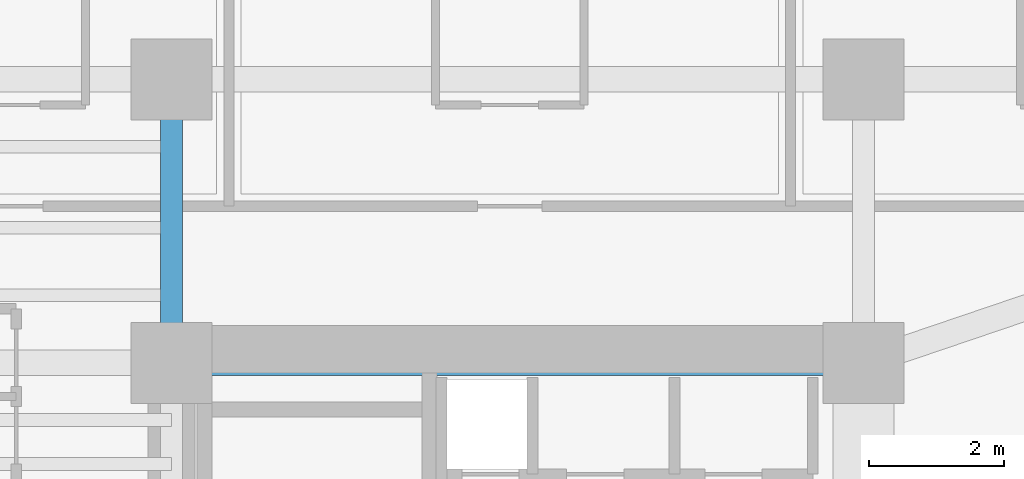
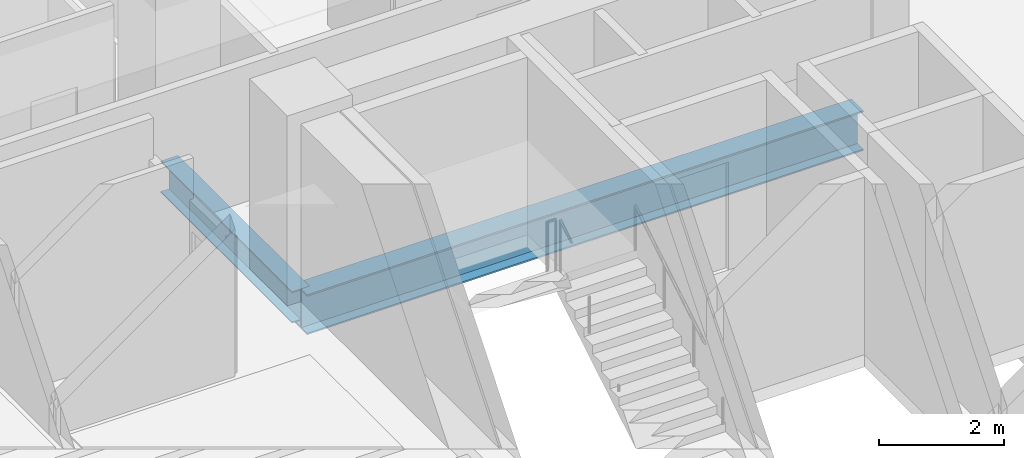
# One storey, part 9 of 35: 2 beams.
"""IFC4 building model written with IfcOpenShell, lengths in metres."""

import ifcopenshell
import ifcopenshell.guid

model = None  # the IFC model being written
_history = None  # IfcOwnerHistory: only IFC2X3 demands one
_inside = {}  # id of a spatial element -> (the spatial element, [elements in it])
_under = {}  # id of a project, library or spatial element -> (it, [spatial elements below it])
_declared = {}  # id of a project -> (the project, [libraries it declares])
_typed = {}  # id of a type object -> (the type object, [elements of that type])
_made_of = {}  # id of a material, layer set ... -> (it, [elements and type objects made of it])


def new_model(schema):
    """Start an empty IFC model of exactly this schema.

    Asked for "IFC4X3", IfcOpenShell would pick the latest addendum, in which some entities
    have other attributes; the version numbers below select the first issue.
    IFC2X3 requires an IfcOwnerHistory on every rooted entity: one is made here for all.
    """
    global model, _history
    if schema == "IFC4X3":
        model = ifcopenshell.file(schema_version=(4, 3, 0, 0))
    else:
        model = ifcopenshell.file(schema=schema)
    _inside.clear()
    _under.clear()
    _declared.clear()
    _typed.clear()
    _made_of.clear()
    _history = None
    if model.schema == "IFC2X3":
        org = make("IfcOrganization", Name="unknown")
        user = make(
            "IfcPersonAndOrganization",
            ThePerson=make("IfcPerson", FamilyName="unknown"),
            TheOrganization=org,
        )
        app = make(
            "IfcApplication",
            ApplicationDeveloper=org,
            Version="unknown",
            ApplicationFullName="unknown",
            ApplicationIdentifier="unknown",
        )
        _history = make(
            "IfcOwnerHistory",
            OwningUser=user,
            OwningApplication=app,
            ChangeAction="ADDED",
            CreationDate=0,
        )
    return model


def make(cls, **values):
    """One entity of the class cls with the attributes given. An attribute that is None is left unset."""
    return model.create_entity(
        cls, **{name: value for name, value in values.items() if value is not None}
    )


def rooted(cls, **values):
    """An entity with a GlobalId (a new one), such as an element, a storey or a relation."""
    return make(cls, GlobalId=ifcopenshell.guid.new(), OwnerHistory=_history, **values)


def si_unit(unit_type, name, prefix=None):
    """IfcSIUnit, for example si_unit("LENGTHUNIT", "METRE", prefix="MILLI")."""
    return make("IfcSIUnit", UnitType=unit_type, Prefix=prefix, Name=name)


def assignment(units):
    """IfcUnitAssignment: the units of a project."""
    return None if units is None else make("IfcUnitAssignment", Units=units)


def point(xyz):
    """IfcCartesianPoint."""
    return None if xyz is None else make("IfcCartesianPoint", Coordinates=xyz)


def direction(xyz):
    """IfcDirection."""
    return None if xyz is None else make("IfcDirection", DirectionRatios=xyz)


def frame(location, z_axis=None, x_axis=None):
    """IfcAxis2Placement3D, a coordinate frame: its origin and axes. An axis left out is left unset."""
    return make(
        "IfcAxis2Placement3D",
        Location=point(location),
        Axis=direction(z_axis),
        RefDirection=direction(x_axis),
    )


def frame_2d(location, x_axis=None):
    """IfcAxis2Placement2D, a coordinate frame in the plane: its origin and x axis."""
    return make(
        "IfcAxis2Placement2D", Location=point(location), RefDirection=direction(x_axis)
    )


def origin():
    """The frame at (0, 0, 0) with its axes left unset."""
    return frame((0.0, 0.0, 0.0))


def origin_2d():
    """The frame at (0, 0) in the plane with its x axis left unset."""
    return frame_2d((0.0, 0.0))


def place(relative_to, where):
    """IfcLocalPlacement: puts the frame where relative to a parent placement (None: the world)."""
    return make(
        "IfcLocalPlacement", PlacementRelTo=relative_to, RelativePlacement=where
    )


def context(
    kind, dimensions, precision=None, world=None, true_north=None, identifier=None
):
    """IfcGeometricRepresentationContext, for example the 3D "Model" context."""
    return make(
        "IfcGeometricRepresentationContext",
        ContextIdentifier=identifier,
        ContextType=kind,
        CoordinateSpaceDimension=dimensions,
        Precision=precision,
        WorldCoordinateSystem=world,
        TrueNorth=true_north,
    )


def subcontext(parent, identifier, kind, view, scale=None):
    """IfcGeometricRepresentationSubContext, for example "Body" below "Model"."""
    return make(
        "IfcGeometricRepresentationSubContext",
        ContextIdentifier=identifier,
        ContextType=kind,
        ParentContext=parent,
        TargetScale=scale,
        TargetView=view,
    )


def project(units=None, contexts=None):
    """IfcProject with its units and contexts."""
    return rooted(
        "IfcProject",
        Name="project",
        RepresentationContexts=contexts,
        UnitsInContext=assignment(units),
    )


def spatial(cls, under=None, at=None, **own):
    """A site, building, storey or space (cls), placed at a placement, below another one or the project."""
    s = rooted(cls, ObjectPlacement=at, **own)
    if under is not None:
        _under.setdefault(under.id(), (under, []))[1].append(s)
    return s


def profile(cls, at=None, kind="AREA", **sizes):
    """A parametric profile (cls). Its sizes go by their IFC names, for example OverallWidth=200.0."""
    return make(cls, ProfileType=kind, Position=at, **sizes)


def i_section(**sizes):
    """IfcIShapeProfileDef."""
    return profile("IfcIShapeProfileDef", **sizes)


def extrude(swept, where, along, depth):
    """IfcExtrudedAreaSolid: the profile swept, set in the frame where, extruded along a direction by depth."""
    return make(
        "IfcExtrudedAreaSolid",
        SweptArea=swept,
        Position=where,
        ExtrudedDirection=direction(along),
        Depth=depth,
    )


def shape(context_of_items, identifier, shape_type, items):
    """IfcShapeRepresentation: the items that make up one representation, for example the "Body"."""
    return make(
        "IfcShapeRepresentation",
        ContextOfItems=context_of_items,
        RepresentationIdentifier=identifier,
        RepresentationType=shape_type,
        Items=items,
    )


def source(mapping_origin, context_of_items, identifier, shape_type, items):
    """IfcRepresentationMap: a shape defined once, which mapped items show again and again."""
    return make(
        "IfcRepresentationMap",
        MappingOrigin=mapping_origin,
        MappedRepresentation=shape(context_of_items, identifier, shape_type, items),
    )


def transform(
    local_origin,
    x_axis=None,
    y_axis=None,
    z_axis=None,
    scale=None,
    scale2=None,
    scale3=None,
    uniform=True,
):
    """IfcCartesianTransformationOperator3D, or its non-uniform kind. x_axis, y_axis, z_axis: its Axis1, 2, 3."""
    if uniform:
        return make(
            "IfcCartesianTransformationOperator3D",
            Axis1=direction(x_axis),
            Axis2=direction(y_axis),
            LocalOrigin=point(local_origin),
            Scale=scale,
            Axis3=direction(z_axis),
        )
    return make(
        "IfcCartesianTransformationOperator3DnonUniform",
        Axis1=direction(x_axis),
        Axis2=direction(y_axis),
        LocalOrigin=point(local_origin),
        Scale=scale,
        Axis3=direction(z_axis),
        Scale2=scale2,
        Scale3=scale3,
    )


def mapped(mapping_source, mapping_target):
    """IfcMappedItem: shows the shape of a source again, moved by a transform."""
    return make(
        "IfcMappedItem", MappingSource=mapping_source, MappingTarget=mapping_target
    )


def material(Name=None, Category=None):
    """IfcMaterial."""
    return make("IfcMaterial", Name=Name, Category=Category)


def material_profile(
    of_material, cross_section, Name=None, Category=None, Priority=None
):
    """IfcMaterialProfile: a cross section and its material."""
    return make(
        "IfcMaterialProfile",
        Name=Name,
        Material=of_material,
        Profile=cross_section,
        Priority=Priority,
        Category=Category,
    )


def profile_set(profiles, Name=None, composite=None):
    """IfcMaterialProfileSet."""
    return make(
        "IfcMaterialProfileSet",
        Name=Name,
        MaterialProfiles=profiles,
        CompositeProfile=composite,
    )


def made_of(thing, what):
    """Note that an element or type object is made of a material, layer set ...; save() writes the relation."""
    if what is not None:
        _made_of.setdefault(what.id(), (what, []))[1].append(thing)
    return thing


def type_object(cls, material=None, **own):
    """A type object (cls), such as IfcWallType, which elements share."""
    return made_of(rooted(cls, **own), material)


def element(
    cls,
    number,
    at=None,
    inside=None,
    cuts=None,
    type_object=None,
    material=None,
    context=None,
    identifier="Body",
    shape_type=None,
    held_by="IfcProductDefinitionShape",
    body=None,
    shapes=None,
    **own,
):
    """One element of the class cls, such as IfcWall. Its Tag is "e" and its number.

    at: its placement. inside: the storey or other place that contains it. cuts: it is an
    opening in that element (IfcRelVoidsElement). A single representation is given by context,
    identifier, shape_type and body (its items); several are given by shapes. held_by: the class
    of the entity that holds the representations. save() writes the other relations.
    """
    e = rooted(cls, Tag="e%d" % number, ObjectPlacement=at, **own)
    if body is not None:
        shapes = [shape(context, identifier, shape_type, body)]
    if shapes is not None:
        e.Representation = make(held_by, Representations=shapes)
    if inside is not None:
        _inside.setdefault(inside.id(), (inside, []))[1].append(e)
    if cuts is not None:
        rooted(
            "IfcRelVoidsElement", RelatingBuildingElement=cuts, RelatedOpeningElement=e
        )
    if type_object is not None:
        _typed.setdefault(type_object.id(), (type_object, []))[1].append(e)
    return made_of(e, material)


def aggregate(whole, parts):
    """IfcRelAggregates: a whole, such as a stair, and the parts it consists of."""
    return rooted("IfcRelAggregates", RelatingObject=whole, RelatedObjects=parts)


def save(model, path):
    """Write the relations noted so far, then the file.

    IfcRelAggregates (storeys below a building ...), IfcRelContainedInSpatialStructure (elements
    in a storey), IfcRelDefinesByType, IfcRelAssociatesMaterial and IfcRelDeclares: one each for
    every whole, place, type object, material and project.
    """
    for whole, parts in _under.values():
        aggregate(whole, parts)
    for where, things in _inside.values():
        rooted(
            "IfcRelContainedInSpatialStructure",
            RelatedElements=things,
            RelatingStructure=where,
        )
    for kind, things in _typed.values():
        rooted("IfcRelDefinesByType", RelatedObjects=things, RelatingType=kind)
    for what, things in _made_of.values():
        rooted("IfcRelAssociatesMaterial", RelatedObjects=things, RelatingMaterial=what)
    for by, libraries in _declared.values():
        rooted("IfcRelDeclares", RelatingContext=by, RelatedDefinitions=libraries)
    model.write(path)


model = new_model("IFC4")

# Units and contexts
model_context = context("Model", 3, precision=1e-05, world=origin(), true_north=direction((0.0, 1.0)))
body_context = subcontext(model_context, "Body", "Model", "MODEL_VIEW")
ifc_project = project(units=[si_unit("LENGTHUNIT", "METRE"), si_unit("AREAUNIT", "SQUARE_METRE"), si_unit("VOLUMEUNIT", "CUBIC_METRE"), si_unit("PLANEANGLEUNIT", "RADIAN"), si_unit("MASSUNIT", "GRAM", prefix="KILO")], contexts=[model_context])

# Site, building, storey
site_placement = place(None, origin())
site = spatial("IfcSite", under=ifc_project, at=site_placement, CompositionType="ELEMENT")
building_placement = place(site_placement, origin())
building = spatial("IfcBuilding", under=site, at=building_placement, Name="Valdorenza Pilgrim Sanctuary Tower", CompositionType="ELEMENT")
storey_placement = place(building_placement, frame((0.0, 0.0, 116.800048828125)))
storey = spatial("IfcBuildingStorey", under=building, at=storey_placement, Name="L29", CompositionType="ELEMENT", Elevation=116.800048828125)

# Beams
ifc_material = material(Name="Steel ASTM A992 Grade 50", Category="steel")
ifc_material_profile_1 = material_profile(ifc_material, i_section(OverallWidth=0.323974609375, OverallDepth=0.611083984375, WebThickness=0.0126953125, FlangeThickness=0.01904296875, at=origin_2d()), Name="W24X104")
ifc_profile_set_1 = profile_set([ifc_material_profile_1], Name="Steel ASTM A992 Grade 50")
beam_type_1 = type_object("IfcBeamType", Name="STR-BM-GRD-W24B", PredefinedType="BEAM", material=ifc_profile_set_1)
shared_shape_1 = source(origin(), body_context, "Body", "SweptSolid", [
    extrude(i_section(OverallWidth=0.323974609375, OverallDepth=0.611083984375, WebThickness=0.0126953125, FlangeThickness=0.01904296875, at=origin_2d()), origin(), (0.0, 0.0, 1.0), 4.199951171875),
])
beam_1_placement = place(storey_placement, frame((-22.64990234375, 10.60009765625, -0.545654296875), z_axis=(0.0, 1.0, 0.0), x_axis=(-1.0, 0.0, 0.0)))
element("IfcBeam", 1, at=beam_1_placement, inside=storey, type_object=beam_type_1, Name="L29 Core Tie Girder CA-W-N1N2", PredefinedType="BEAM", context=body_context, shape_type="MappedRepresentation", body=[
    mapped(shared_shape_1, transform((0.0, 0.0, 0.0), x_axis=(1.0, 0.0, 0.0), y_axis=(0.0, 1.0, 0.0), z_axis=(0.0, 0.0, 1.0), scale=1.0)),
])
ifc_material_profile_2 = material_profile(ifc_material, i_section(OverallWidth=0.382080078125, OverallDepth=0.779052734375, WebThickness=0.01806640625, FlangeThickness=0.030029296875, at=origin_2d()), Name="W30X191")
ifc_profile_set_2 = profile_set([ifc_material_profile_2], Name="Steel ASTM A992 Grade 50")
beam_type_2 = type_object("IfcBeamType", Name="STR-BM-GRD-W30", PredefinedType="BEAM", material=ifc_profile_set_2)
shared_shape_2 = source(origin(), body_context, "Body", "SweptSolid", [
    extrude(i_section(OverallWidth=0.382080078125, OverallDepth=0.779052734375, WebThickness=0.01806640625, FlangeThickness=0.030029296875, at=origin_2d()), origin(), (0.0, 0.0, 1.0), 10.25),
])
beam_2_placement = place(storey_placement, frame((-22.64990234375, 10.60009765625, -0.629638671875), z_axis=(1.0, 0.0, 0.0), x_axis=(0.0, 1.0, 0.0)))
element("IfcBeam", 2, at=beam_2_placement, inside=storey, type_object=beam_type_2, Name="L29 Floor Girder CA-XC-N1", PredefinedType="BEAM", context=body_context, shape_type="MappedRepresentation", body=[
    mapped(shared_shape_2, transform((0.0, 0.0, 0.0), x_axis=(1.0, 0.0, 0.0), y_axis=(0.0, 1.0, 0.0), z_axis=(0.0, 0.0, 1.0), scale=1.0)),
])

save(model, "model.ifc")
